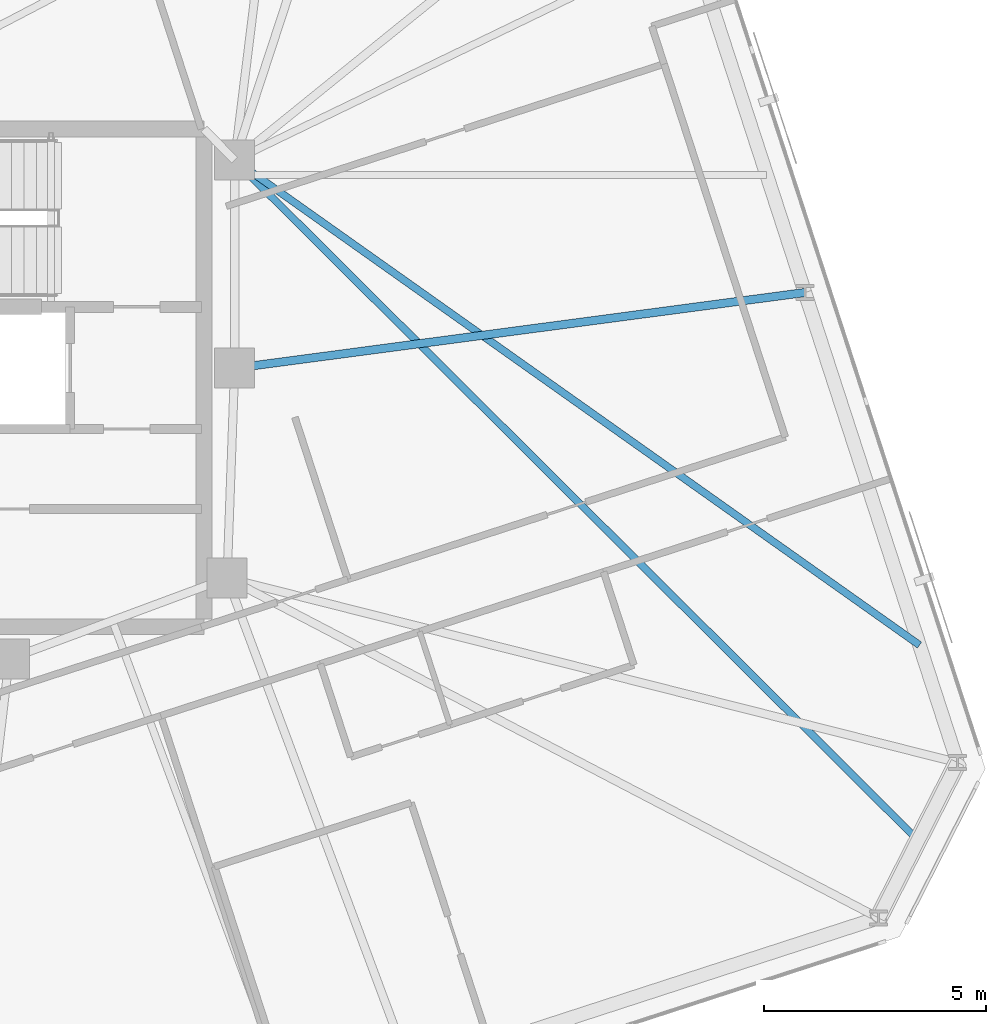
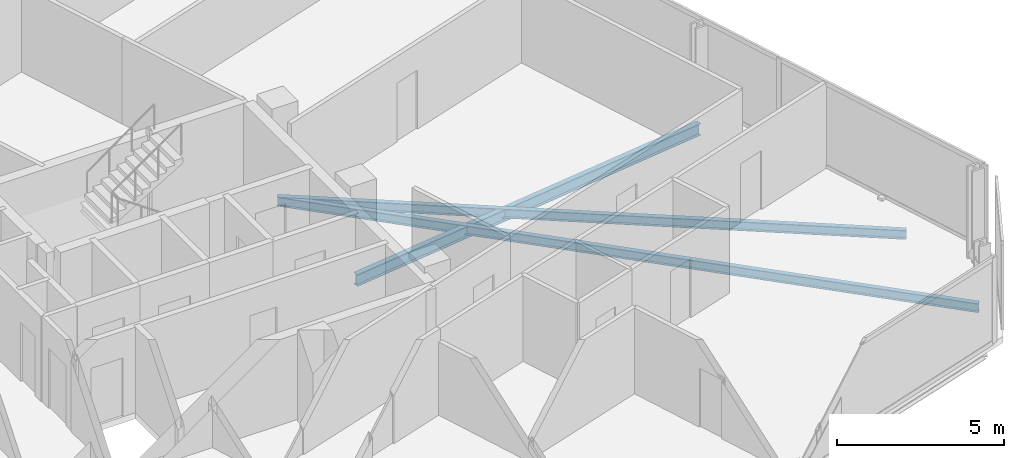
# One storey, part 8 of 19: 3 beams.
"""IFC4 building model written with IfcOpenShell, lengths in metres."""

from ifc_helpers import new_model, si_unit, direction, frame, origin, origin_2d, place, context, subcontext, project, spatial, i_section, extrude, material, material_profile, profile_set, type_object, element, save


model = new_model("IFC4")

# Units and contexts
model_context = context("Model", 3, precision=1e-05, world=origin(), true_north=direction((0.0, 1.0)))
body_context = subcontext(model_context, "Body", "Model", "MODEL_VIEW")
ifc_project = project(units=[si_unit("LENGTHUNIT", "METRE"), si_unit("AREAUNIT", "SQUARE_METRE"), si_unit("VOLUMEUNIT", "CUBIC_METRE"), si_unit("PLANEANGLEUNIT", "RADIAN"), si_unit("MASSUNIT", "GRAM", prefix="KILO")], contexts=[model_context])

# Site, building, storey
site_placement = place(None, origin())
site = spatial("IfcSite", under=ifc_project, at=site_placement, CompositionType="ELEMENT")
building_placement = place(site_placement, origin())
building = spatial("IfcBuilding", under=site, at=building_placement, Name="Menara Jurai Vektor", CompositionType="ELEMENT")
storey_placement = place(building_placement, frame((0.0, 0.0, 220.949951171875)))
storey = spatial("IfcBuildingStorey", under=building, at=storey_placement, Name="L58", CompositionType="ELEMENT", Elevation=220.949951171875)

# Beams
ifc_material = material(Name="Steel S355", Category="steel")
ifc_material_profile_1 = material_profile(ifc_material, i_section(OverallWidth=0.18505859375, OverallDepth=0.429931640625, WebThickness=0.010986328125, FlangeThickness=0.01806640625, at=origin_2d()), Name="PG 430x185x76")
ifc_profile_set_1 = profile_set([ifc_material_profile_1], Name="Steel S355")
beam_type_1 = type_object("IfcBeamType", Name="STR-BM-430", PredefinedType="BEAM", material=ifc_profile_set_1)
beam_1_placement = place(storey_placement, frame((28.07763671875, 1.92236328125, -0.43994140625), z_axis=(-0.99130829243, -0.131559375797, 0.0), x_axis=(0.131559375797, -0.99130829243, 0.0)))
element("IfcBeam", 1, at=beam_1_placement, inside=storey, type_object=beam_type_1, Name="Radial Floor Girder L58-E2", PredefinedType="BEAM", context=body_context, shape_type="SweptSolid", body=[
    extrude(i_section(OverallWidth=0.18505859375, OverallDepth=0.429931640625, WebThickness=0.010986328125, FlangeThickness=0.01806640625, at=origin_2d()), origin(), (0.0, 0.0, 1.0), 12.940185546875),
])
ifc_material_profile_2 = material_profile(ifc_material, i_section(OverallWidth=0.1650390625, OverallDepth=0.330078125, WebThickness=0.009033203125, FlangeThickness=0.013916015625, at=origin_2d()), Name="PG 330x165x46")
ifc_profile_set_2 = profile_set([ifc_material_profile_2], Name="Steel S355")
beam_type_2 = type_object("IfcBeamType", Name="STR-JS-330", PredefinedType="JOIST", material=ifc_profile_set_2)
beam_2_placement = place(storey_placement, frame((30.62353515625, -10.398681640625, -0.389892578125), z_axis=(-0.70883256901, 0.705376771032, 0.0), x_axis=(-0.705376771032, -0.70883256901, 0.0)))
element("IfcBeam", 2, at=beam_2_placement, inside=storey, type_object=beam_type_2, Name="Radial Secondary Floor Joist L58-JS09", PredefinedType="JOIST", context=body_context, shape_type="SweptSolid", body=[
    extrude(i_section(OverallWidth=0.1650390625, OverallDepth=0.330078125, WebThickness=0.009033203125, FlangeThickness=0.013916015625, at=origin_2d()), origin(), (0.0, 0.0, 1.0), 21.6884765625),
])
beam_3_placement = place(storey_placement, frame((30.654296875, -6.00830078125, -0.389892578125), z_axis=(-0.816103783972, 0.577905367501, 0.0), x_axis=(-0.577905367501, -0.816103783972, 0.0)))
element("IfcBeam", 3, at=beam_3_placement, inside=storey, type_object=beam_type_2, Name="Radial Secondary Floor Joist L58-JS10", PredefinedType="JOIST", context=body_context, shape_type="SweptSolid", body=[
    extrude(i_section(OverallWidth=0.1650390625, OverallDepth=0.330078125, WebThickness=0.009033203125, FlangeThickness=0.013916015625, at=origin_2d()), origin(), (0.0, 0.0, 1.0), 18.87548828125),
])

save(model, "model.ifc")
